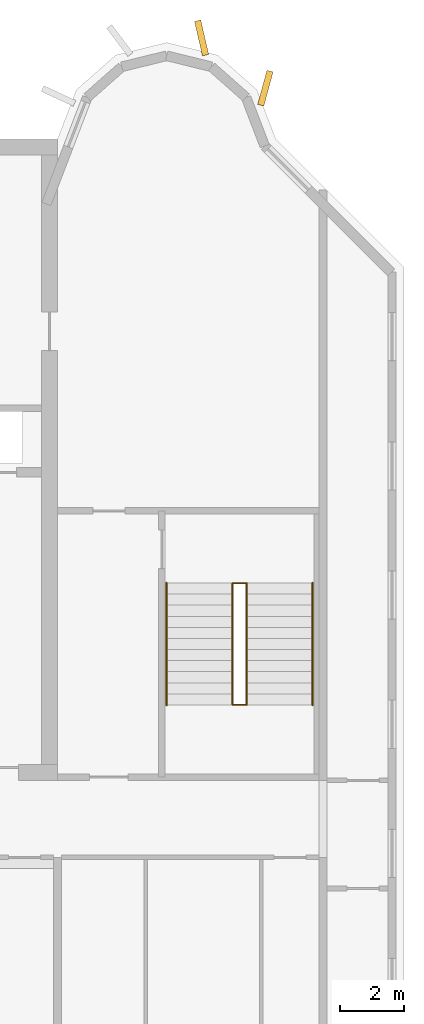
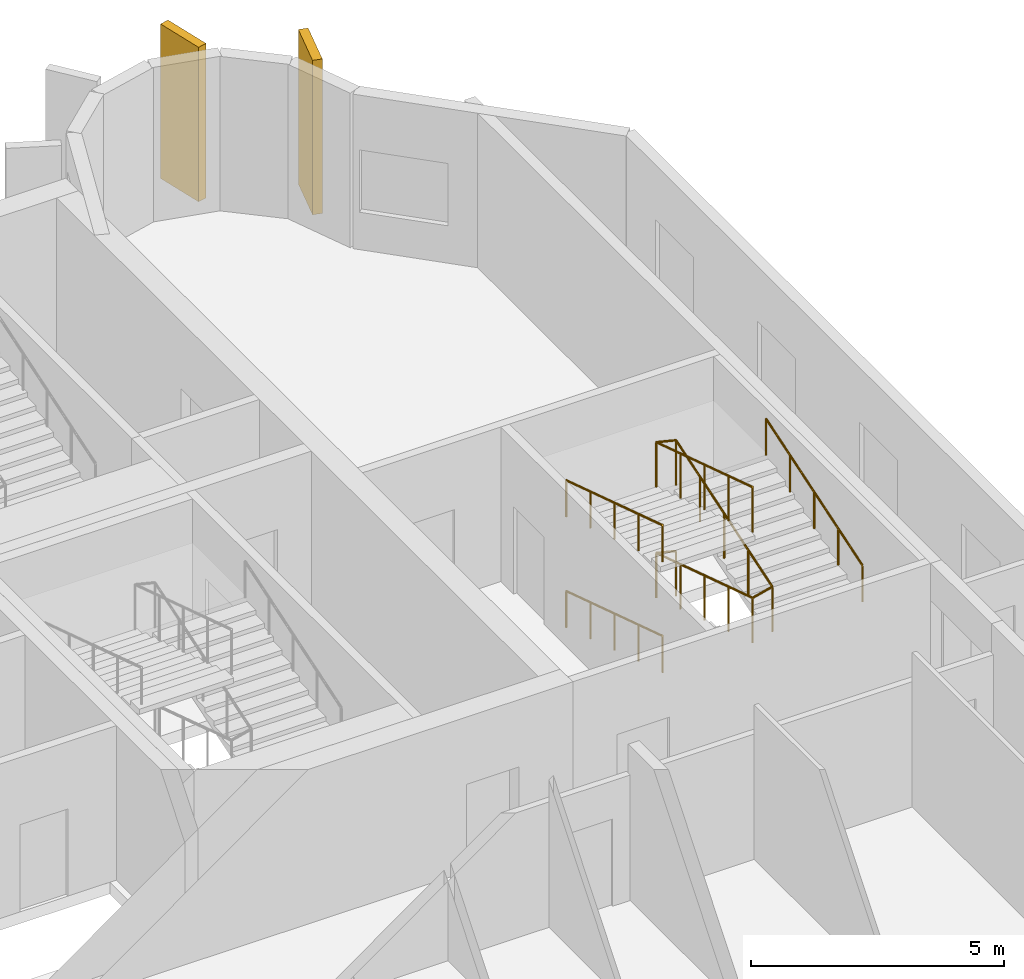
# One storey, part 11 of 12: 4 railings, 2 coverings.
"""IFC4 building model written with IfcOpenShell, lengths in metres."""

import ifcopenshell
import ifcopenshell.guid

model = None  # the IFC model being written
_history = None  # IfcOwnerHistory: only IFC2X3 demands one
_inside = {}  # id of a spatial element -> (the spatial element, [elements in it])
_under = {}  # id of a project, library or spatial element -> (it, [spatial elements below it])
_declared = {}  # id of a project -> (the project, [libraries it declares])
_typed = {}  # id of a type object -> (the type object, [elements of that type])
_made_of = {}  # id of a material, layer set ... -> (it, [elements and type objects made of it])


def new_model(schema):
    """Start an empty IFC model of exactly this schema.

    Asked for "IFC4X3", IfcOpenShell would pick the latest addendum, in which some entities
    have other attributes; the version numbers below select the first issue.
    IFC2X3 requires an IfcOwnerHistory on every rooted entity: one is made here for all.
    """
    global model, _history
    if schema == "IFC4X3":
        model = ifcopenshell.file(schema_version=(4, 3, 0, 0))
    else:
        model = ifcopenshell.file(schema=schema)
    _inside.clear()
    _under.clear()
    _declared.clear()
    _typed.clear()
    _made_of.clear()
    _history = None
    if model.schema == "IFC2X3":
        org = make("IfcOrganization", Name="unknown")
        user = make(
            "IfcPersonAndOrganization",
            ThePerson=make("IfcPerson", FamilyName="unknown"),
            TheOrganization=org,
        )
        app = make(
            "IfcApplication",
            ApplicationDeveloper=org,
            Version="unknown",
            ApplicationFullName="unknown",
            ApplicationIdentifier="unknown",
        )
        _history = make(
            "IfcOwnerHistory",
            OwningUser=user,
            OwningApplication=app,
            ChangeAction="ADDED",
            CreationDate=0,
        )
    return model


def make(cls, **values):
    """One entity of the class cls with the attributes given. An attribute that is None is left unset."""
    return model.create_entity(
        cls, **{name: value for name, value in values.items() if value is not None}
    )


def rooted(cls, **values):
    """An entity with a GlobalId (a new one), such as an element, a storey or a relation."""
    return make(cls, GlobalId=ifcopenshell.guid.new(), OwnerHistory=_history, **values)


def si_unit(unit_type, name, prefix=None):
    """IfcSIUnit, for example si_unit("LENGTHUNIT", "METRE", prefix="MILLI")."""
    return make("IfcSIUnit", UnitType=unit_type, Prefix=prefix, Name=name)


def assignment(units):
    """IfcUnitAssignment: the units of a project."""
    return None if units is None else make("IfcUnitAssignment", Units=units)


def point(xyz):
    """IfcCartesianPoint."""
    return None if xyz is None else make("IfcCartesianPoint", Coordinates=xyz)


def direction(xyz):
    """IfcDirection."""
    return None if xyz is None else make("IfcDirection", DirectionRatios=xyz)


def frame(location, z_axis=None, x_axis=None):
    """IfcAxis2Placement3D, a coordinate frame: its origin and axes. An axis left out is left unset."""
    return make(
        "IfcAxis2Placement3D",
        Location=point(location),
        Axis=direction(z_axis),
        RefDirection=direction(x_axis),
    )


def frame_2d(location, x_axis=None):
    """IfcAxis2Placement2D, a coordinate frame in the plane: its origin and x axis."""
    return make(
        "IfcAxis2Placement2D", Location=point(location), RefDirection=direction(x_axis)
    )


def origin():
    """The frame at (0, 0, 0) with its axes left unset."""
    return frame((0.0, 0.0, 0.0))


def origin_2d():
    """The frame at (0, 0) in the plane with its x axis left unset."""
    return frame_2d((0.0, 0.0))


def place(relative_to, where):
    """IfcLocalPlacement: puts the frame where relative to a parent placement (None: the world)."""
    return make(
        "IfcLocalPlacement", PlacementRelTo=relative_to, RelativePlacement=where
    )


def context(
    kind, dimensions, precision=None, world=None, true_north=None, identifier=None
):
    """IfcGeometricRepresentationContext, for example the 3D "Model" context."""
    return make(
        "IfcGeometricRepresentationContext",
        ContextIdentifier=identifier,
        ContextType=kind,
        CoordinateSpaceDimension=dimensions,
        Precision=precision,
        WorldCoordinateSystem=world,
        TrueNorth=true_north,
    )


def subcontext(parent, identifier, kind, view, scale=None):
    """IfcGeometricRepresentationSubContext, for example "Body" below "Model"."""
    return make(
        "IfcGeometricRepresentationSubContext",
        ContextIdentifier=identifier,
        ContextType=kind,
        ParentContext=parent,
        TargetScale=scale,
        TargetView=view,
    )


def project(units=None, contexts=None):
    """IfcProject with its units and contexts."""
    return rooted(
        "IfcProject",
        Name="project",
        RepresentationContexts=contexts,
        UnitsInContext=assignment(units),
    )


def spatial(cls, under=None, at=None, **own):
    """A site, building, storey or space (cls), placed at a placement, below another one or the project."""
    s = rooted(cls, ObjectPlacement=at, **own)
    if under is not None:
        _under.setdefault(under.id(), (under, []))[1].append(s)
    return s


def profile(cls, at=None, kind="AREA", **sizes):
    """A parametric profile (cls). Its sizes go by their IFC names, for example OverallWidth=200.0."""
    return make(cls, ProfileType=kind, Position=at, **sizes)


def rectangle(**sizes):
    """IfcRectangleProfileDef."""
    return profile("IfcRectangleProfileDef", **sizes)


def circle(**sizes):
    """IfcCircleProfileDef."""
    return profile("IfcCircleProfileDef", **sizes)


def extrude(swept, where, along, depth):
    """IfcExtrudedAreaSolid: the profile swept, set in the frame where, extruded along a direction by depth."""
    return make(
        "IfcExtrudedAreaSolid",
        SweptArea=swept,
        Position=where,
        ExtrudedDirection=direction(along),
        Depth=depth,
    )


def shape(context_of_items, identifier, shape_type, items):
    """IfcShapeRepresentation: the items that make up one representation, for example the "Body"."""
    return make(
        "IfcShapeRepresentation",
        ContextOfItems=context_of_items,
        RepresentationIdentifier=identifier,
        RepresentationType=shape_type,
        Items=items,
    )


def source(mapping_origin, context_of_items, identifier, shape_type, items):
    """IfcRepresentationMap: a shape defined once, which mapped items show again and again."""
    return make(
        "IfcRepresentationMap",
        MappingOrigin=mapping_origin,
        MappedRepresentation=shape(context_of_items, identifier, shape_type, items),
    )


def transform(
    local_origin,
    x_axis=None,
    y_axis=None,
    z_axis=None,
    scale=None,
    scale2=None,
    scale3=None,
    uniform=True,
):
    """IfcCartesianTransformationOperator3D, or its non-uniform kind. x_axis, y_axis, z_axis: its Axis1, 2, 3."""
    if uniform:
        return make(
            "IfcCartesianTransformationOperator3D",
            Axis1=direction(x_axis),
            Axis2=direction(y_axis),
            LocalOrigin=point(local_origin),
            Scale=scale,
            Axis3=direction(z_axis),
        )
    return make(
        "IfcCartesianTransformationOperator3DnonUniform",
        Axis1=direction(x_axis),
        Axis2=direction(y_axis),
        LocalOrigin=point(local_origin),
        Scale=scale,
        Axis3=direction(z_axis),
        Scale2=scale2,
        Scale3=scale3,
    )


def mapped(mapping_source, mapping_target):
    """IfcMappedItem: shows the shape of a source again, moved by a transform."""
    return make(
        "IfcMappedItem", MappingSource=mapping_source, MappingTarget=mapping_target
    )


def material(Name=None, Category=None):
    """IfcMaterial."""
    return make("IfcMaterial", Name=Name, Category=Category)


def material_profile(
    of_material, cross_section, Name=None, Category=None, Priority=None
):
    """IfcMaterialProfile: a cross section and its material."""
    return make(
        "IfcMaterialProfile",
        Name=Name,
        Material=of_material,
        Profile=cross_section,
        Priority=Priority,
        Category=Category,
    )


def profile_set(profiles, Name=None, composite=None):
    """IfcMaterialProfileSet."""
    return make(
        "IfcMaterialProfileSet",
        Name=Name,
        MaterialProfiles=profiles,
        CompositeProfile=composite,
    )


def made_of(thing, what):
    """Note that an element or type object is made of a material, layer set ...; save() writes the relation."""
    if what is not None:
        _made_of.setdefault(what.id(), (what, []))[1].append(thing)
    return thing


def type_object(cls, material=None, **own):
    """A type object (cls), such as IfcWallType, which elements share."""
    return made_of(rooted(cls, **own), material)


def element(
    cls,
    number,
    at=None,
    inside=None,
    cuts=None,
    type_object=None,
    material=None,
    context=None,
    identifier="Body",
    shape_type=None,
    held_by="IfcProductDefinitionShape",
    body=None,
    shapes=None,
    **own,
):
    """One element of the class cls, such as IfcWall. Its Tag is "e" and its number.

    at: its placement. inside: the storey or other place that contains it. cuts: it is an
    opening in that element (IfcRelVoidsElement). A single representation is given by context,
    identifier, shape_type and body (its items); several are given by shapes. held_by: the class
    of the entity that holds the representations. save() writes the other relations.
    """
    e = rooted(cls, Tag="e%d" % number, ObjectPlacement=at, **own)
    if body is not None:
        shapes = [shape(context, identifier, shape_type, body)]
    if shapes is not None:
        e.Representation = make(held_by, Representations=shapes)
    if inside is not None:
        _inside.setdefault(inside.id(), (inside, []))[1].append(e)
    if cuts is not None:
        rooted(
            "IfcRelVoidsElement", RelatingBuildingElement=cuts, RelatedOpeningElement=e
        )
    if type_object is not None:
        _typed.setdefault(type_object.id(), (type_object, []))[1].append(e)
    return made_of(e, material)


def aggregate(whole, parts):
    """IfcRelAggregates: a whole, such as a stair, and the parts it consists of."""
    return rooted("IfcRelAggregates", RelatingObject=whole, RelatedObjects=parts)


def save(model, path):
    """Write the relations noted so far, then the file.

    IfcRelAggregates (storeys below a building ...), IfcRelContainedInSpatialStructure (elements
    in a storey), IfcRelDefinesByType, IfcRelAssociatesMaterial and IfcRelDeclares: one each for
    every whole, place, type object, material and project.
    """
    for whole, parts in _under.values():
        aggregate(whole, parts)
    for where, things in _inside.values():
        rooted(
            "IfcRelContainedInSpatialStructure",
            RelatedElements=things,
            RelatingStructure=where,
        )
    for kind, things in _typed.values():
        rooted("IfcRelDefinesByType", RelatedObjects=things, RelatingType=kind)
    for what, things in _made_of.values():
        rooted("IfcRelAssociatesMaterial", RelatedObjects=things, RelatingMaterial=what)
    for by, libraries in _declared.values():
        rooted("IfcRelDeclares", RelatingContext=by, RelatedDefinitions=libraries)
    model.write(path)


model = new_model("IFC4")

# Units and contexts
model_context = context("Model", 3, precision=1e-05, world=origin(), true_north=direction((0.0, 1.0)))
body_context = subcontext(model_context, "Body", "Model", "MODEL_VIEW")
ifc_project = project(units=[si_unit("LENGTHUNIT", "METRE"), si_unit("AREAUNIT", "SQUARE_METRE"), si_unit("VOLUMEUNIT", "CUBIC_METRE"), si_unit("PLANEANGLEUNIT", "RADIAN"), si_unit("MASSUNIT", "GRAM", prefix="KILO")], contexts=[model_context])

# Site, building, storey
site_placement = place(None, origin())
site = spatial("IfcSite", under=ifc_project, at=site_placement, CompositionType="ELEMENT")
building_placement = place(site_placement, origin())
building = spatial("IfcBuilding", under=site, at=building_placement, Name="Vanashikhar Sky Hotel", CompositionType="ELEMENT")
storey_placement = place(building_placement, frame((0.0, 0.0, 301.699951171875)))
storey = spatial("IfcBuildingStorey", under=building, at=storey_placement, Name="L72", CompositionType="ELEMENT", Elevation=301.699951171875)

# Coverings
ifc_material_1 = material(Name="Concrete M60 dark", Category="concrete")
ifc_material_profile = material_profile(ifc_material_1, rectangle(XDim=1.10009765625, YDim=0.199951171875, at=origin_2d()))
ifc_profile_set = profile_set([ifc_material_profile], Name="Rear lobe fin 1100 x 200")
covering_type = type_object("IfcCoveringType", Name="Rear lobe fin 1100 x 200", PredefinedType="CLADDING", material=ifc_profile_set)
shared_shape_1 = source(origin(), body_context, "Body", "SweptSolid", [
    extrude(rectangle(XDim=1.10009765625, YDim=0.199951171875, at=origin_2d()), origin(), (0.0, 0.0, 1.0), 3.719970703125),
])
for number, where, z_axis, x_axis, name in (
    (1, (80.08984375, 45.1455078125, 0.0), (0.0, 0.0, 1.0), (-0.224644935864, 0.974440687159, 0.0), "Fin R2-3"),
    (2, (82.0791015625, 43.580078125, 0.0), (0.0, 0.0, 1.0), (0.262711264409, 0.964874495234, 0.0), "Fin R2-4"),
):
    element("IfcCovering", number, at=place(storey_placement, frame(where, z_axis=z_axis, x_axis=x_axis)), inside=storey, type_object=covering_type, Name=name, PredefinedType="CLADDING", context=body_context, shape_type="MappedRepresentation", body=[
        mapped(shared_shape_1, transform((0.0, 0.0, 0.0), scale=1.0)),
    ])

# Railings
ifc_material_2 = material(Name="Steel S355", Category="steel")
railing_type_1 = type_object("IfcRailingType", Name="Stair guard 1100", PredefinedType="GUARDRAIL", material=ifc_material_2)
shared_shape_2 = source(origin(), body_context, "Body", "SweptSolid", [
    extrude(circle(Radius=0.02392578125, at=origin_2d()), frame((0.0, 0.0, 1.076171875), z_axis=(-0.970851010584, 0.0, 0.239683781777), x_axis=(0.0, -1.0, 0.0)), (0.0, 0.0, 1.0), 0.46337890625),
    extrude(circle(Radius=0.02392578125, at=origin_2d()), frame((-0.449951171875, 0.0, 1.18701171875), z_axis=(0.0, -0.951952165375, 0.306246754821), x_axis=(1.0, 0.0, 0.0)), (0.0, 0.0, 1.0), 3.99169921875),
    extrude(circle(Radius=0.02392578125, at=origin_2d()), frame((-0.449951171875, -3.7998046875, 2.40966796875), z_axis=(0.970851010584, 0.0, 0.239683781777), x_axis=(0.0, 1.0, 0.0)), (0.0, 0.0, 1.0), 0.46337890625),
    extrude(circle(Radius=0.02392578125, at=origin_2d()), frame((0.0, -3.7998046875, 2.5205078125), z_axis=(0.0, 0.951969995293, 0.306191325908), x_axis=(-1.0, 0.0, 0.0)), (0.0, 0.0, 1.0), 3.991455078125),
    extrude(circle(Radius=0.02392578125, at=origin_2d()), frame((0.0, 0.0, 3.74267578125), z_axis=(-0.970851010584, 0.0, 0.239683781777), x_axis=(0.0, -1.0, 0.0)), (0.0, 0.0, 1.0), 0.46337890625),
    extrude(circle(Radius=0.02392578125, at=origin_2d()), frame((-0.449951171875, 0.0, 3.85400390625), z_axis=(0.0, -0.951969995293, 0.306191325908), x_axis=(1.0, 0.0, 0.0)), (0.0, 0.0, 1.0), 3.991455078125),
    extrude(circle(Radius=0.02099609375, at=origin_2d()), origin(), (0.0, 0.0, 1.0), 1.052001953125),
    extrude(circle(Radius=0.02099609375, at=origin_2d()), frame((-0.449951171875, 0.0, 0.111083984375)), (0.0, 0.0, 1.0), 1.052001953125),
    extrude(circle(Radius=0.02099609375, at=origin_2d()), frame((-0.449951171875, -0.949951171875, 0.416748046875)), (0.0, 0.0, 1.0), 1.052001953125),
    extrude(circle(Radius=0.02099609375, at=origin_2d()), frame((-0.449951171875, -1.89990234375, 0.72216796875)), (0.0, 0.0, 1.0), 1.052001953125),
    extrude(circle(Radius=0.02099609375, at=origin_2d()), frame((-0.449951171875, -2.849853515625, 1.02783203125)), (0.0, 0.0, 1.0), 1.052001953125),
    extrude(circle(Radius=0.02099609375, at=origin_2d()), frame((-0.449951171875, -3.7998046875, 1.33349609375)), (0.0, 0.0, 1.0), 1.052001953125),
    extrude(circle(Radius=0.02099609375, at=origin_2d()), frame((0.0, -3.7998046875, 1.444580078125)), (0.0, 0.0, 1.0), 1.052001953125),
    extrude(circle(Radius=0.02099609375, at=origin_2d()), frame((0.0, -2.849853515625, 1.75)), (0.0, 0.0, 1.0), 1.052001953125),
    extrude(circle(Radius=0.02099609375, at=origin_2d()), frame((0.0, -1.89990234375, 2.0556640625)), (0.0, 0.0, 1.0), 1.052001953125),
    extrude(circle(Radius=0.02099609375, at=origin_2d()), frame((0.0, -0.949951171875, 2.361328125)), (0.0, 0.0, 1.0), 1.052001953125),
    extrude(circle(Radius=0.02099609375, at=origin_2d()), frame((0.0, 0.0, 2.666748046875)), (0.0, 0.0, 1.0), 1.052001953125),
    extrude(circle(Radius=0.02099609375, at=origin_2d()), frame((-0.449951171875, 0.0, 2.77783203125)), (0.0, 0.0, 1.0), 1.052001953125),
    extrude(circle(Radius=0.02099609375, at=origin_2d()), frame((-0.449951171875, -0.949951171875, 3.08349609375)), (0.0, 0.0, 1.0), 1.052001953125),
    extrude(circle(Radius=0.02099609375, at=origin_2d()), frame((-0.449951171875, -1.89990234375, 3.388916015625)), (0.0, 0.0, 1.0), 1.052001953125),
    extrude(circle(Radius=0.02099609375, at=origin_2d()), frame((-0.449951171875, -2.849853515625, 3.6943359375)), (0.0, 0.0, 1.0), 1.052001953125),
    extrude(circle(Radius=0.02099609375, at=origin_2d()), frame((-0.449951171875, -3.7998046875, 4.0)), (0.0, 0.0, 1.0), 1.052001953125),
])
railing_1_placement = place(storey_placement, frame((81.5, 28.14990234375, 0.0)))
element("IfcRailing", 3, at=railing_1_placement, inside=storey, type_object=railing_type_1, Name="Exit stair 4 guard", PredefinedType="GUARDRAIL", context=body_context, shape_type="MappedRepresentation", body=[
    mapped(shared_shape_2, transform((0.0, 0.0, 0.0), scale=1.0)),
])
railing_type_2 = type_object("IfcRailingType", Name="Stair handrail 900", PredefinedType="HANDRAIL", material=ifc_material_2)
shared_shape_3 = source(origin(), body_context, "Body", "SweptSolid", [
    extrude(circle(Radius=0.02392578125, at=origin_2d()), frame((0.0, 0.0, 0.8759765625), z_axis=(0.0, -0.951952165375, 0.306246754821), x_axis=(1.0, 0.0, 0.0)), (0.0, 0.0, 1.0), 3.99169921875),
    extrude(circle(Radius=0.02099609375, at=origin_2d()), origin(), (0.0, 0.0, 1.0), 0.851806640625),
    extrude(circle(Radius=0.02099609375, at=origin_2d()), frame((0.0, -0.949951171875, 0.3056640625)), (0.0, 0.0, 1.0), 0.851806640625),
    extrude(circle(Radius=0.02099609375, at=origin_2d()), frame((0.0, -1.89990234375, 0.611328125)), (0.0, 0.0, 1.0), 0.851806640625),
    extrude(circle(Radius=0.02099609375, at=origin_2d()), frame((0.0, -2.849853515625, 0.916748046875)), (0.0, 0.0, 1.0), 0.851806640625),
    extrude(circle(Radius=0.02099609375, at=origin_2d()), frame((0.0, -3.7998046875, 1.222412109375)), (0.0, 0.0, 1.0), 0.851806640625),
])
railing_2_placement = place(storey_placement, frame((79.0, 28.14990234375, 0.111083984375)))
element("IfcRailing", 4, at=railing_2_placement, inside=storey, type_object=railing_type_2, Name="Exit stair 4 handrail", PredefinedType="HANDRAIL", context=body_context, shape_type="MappedRepresentation", body=[
    mapped(shared_shape_3, transform((0.0, 0.0, 0.0), scale=1.0)),
])
shared_shape_4 = source(origin(), body_context, "Body", "SweptSolid", [
    extrude(circle(Radius=0.02392578125, at=origin_2d()), frame((0.0, 0.0, 0.8759765625), z_axis=(0.0, 0.951969995293, 0.306191325908), x_axis=(-1.0, 0.0, 0.0)), (0.0, 0.0, 1.0), 3.991455078125),
    extrude(circle(Radius=0.02099609375, at=origin_2d()), origin(), (0.0, 0.0, 1.0), 0.851806640625),
    extrude(circle(Radius=0.02099609375, at=origin_2d()), frame((0.0, 0.949951171875, 0.3056640625)), (0.0, 0.0, 1.0), 0.851806640625),
    extrude(circle(Radius=0.02099609375, at=origin_2d()), frame((0.0, 1.89990234375, 0.611083984375)), (0.0, 0.0, 1.0), 0.851806640625),
    extrude(circle(Radius=0.02099609375, at=origin_2d()), frame((0.0, 2.849853515625, 0.91650390625)), (0.0, 0.0, 1.0), 0.851806640625),
    extrude(circle(Radius=0.02099609375, at=origin_2d()), frame((0.0, 3.7998046875, 1.22216796875)), (0.0, 0.0, 1.0), 0.851806640625),
])
railing_3_placement = place(storey_placement, frame((83.550048828125, 24.35009765625, 1.444580078125)))
element("IfcRailing", 5, at=railing_3_placement, inside=storey, type_object=railing_type_2, Name="Exit stair 4 handrail", PredefinedType="HANDRAIL", context=body_context, shape_type="MappedRepresentation", body=[
    mapped(shared_shape_4, transform((0.0, 0.0, 0.0), scale=1.0)),
])
shared_shape_5 = source(origin(), body_context, "Body", "SweptSolid", [
    extrude(circle(Radius=0.02392578125, at=origin_2d()), frame((0.0, 0.0, 0.8759765625), z_axis=(0.0, -0.951969995293, 0.306191325908), x_axis=(1.0, 0.0, 0.0)), (0.0, 0.0, 1.0), 3.991455078125),
    extrude(circle(Radius=0.02099609375, at=origin_2d()), origin(), (0.0, 0.0, 1.0), 0.851806640625),
    extrude(circle(Radius=0.02099609375, at=origin_2d()), frame((0.0, -0.949951171875, 0.3056640625)), (0.0, 0.0, 1.0), 0.851806640625),
    extrude(circle(Radius=0.02099609375, at=origin_2d()), frame((0.0, -1.89990234375, 0.611083984375)), (0.0, 0.0, 1.0), 0.851806640625),
    extrude(circle(Radius=0.02099609375, at=origin_2d()), frame((0.0, -2.849853515625, 0.91650390625)), (0.0, 0.0, 1.0), 0.851806640625),
    extrude(circle(Radius=0.02099609375, at=origin_2d()), frame((0.0, -3.7998046875, 1.22216796875)), (0.0, 0.0, 1.0), 0.851806640625),
])
railing_4_placement = place(storey_placement, frame((79.0, 28.14990234375, 2.77783203125)))
element("IfcRailing", 6, at=railing_4_placement, inside=storey, type_object=railing_type_2, Name="Exit stair 4 handrail", PredefinedType="HANDRAIL", context=body_context, shape_type="MappedRepresentation", body=[
    mapped(shared_shape_5, transform((0.0, 0.0, 0.0), scale=1.0)),
])

save(model, "model.ifc")
